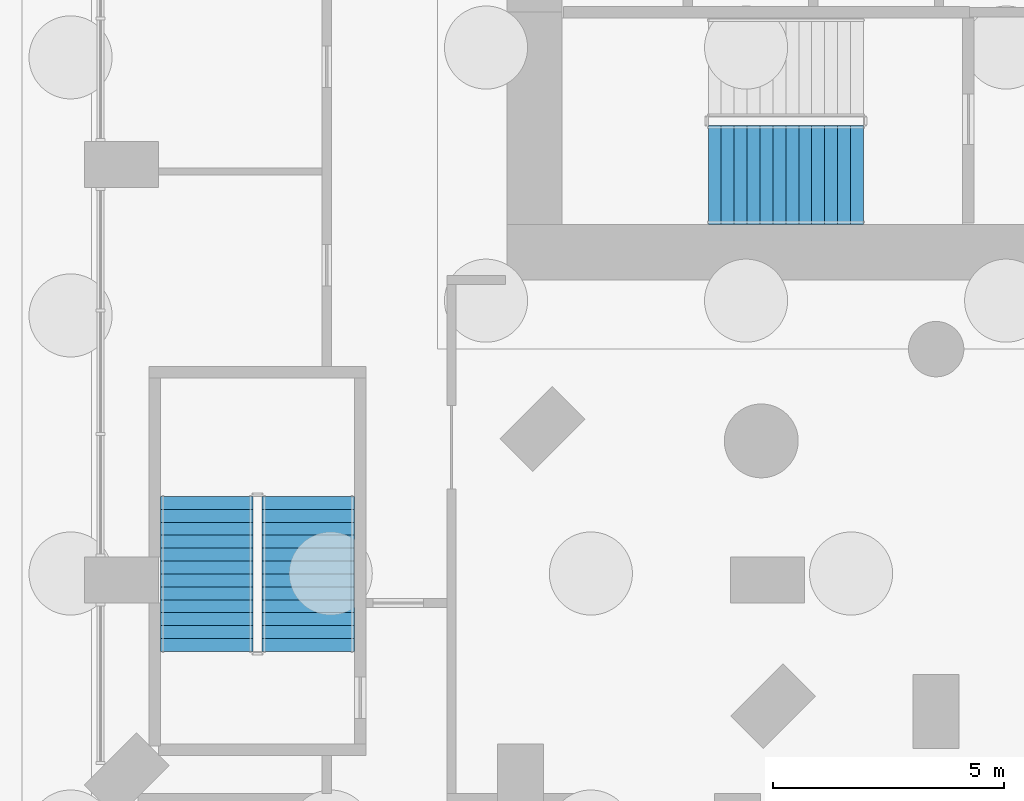
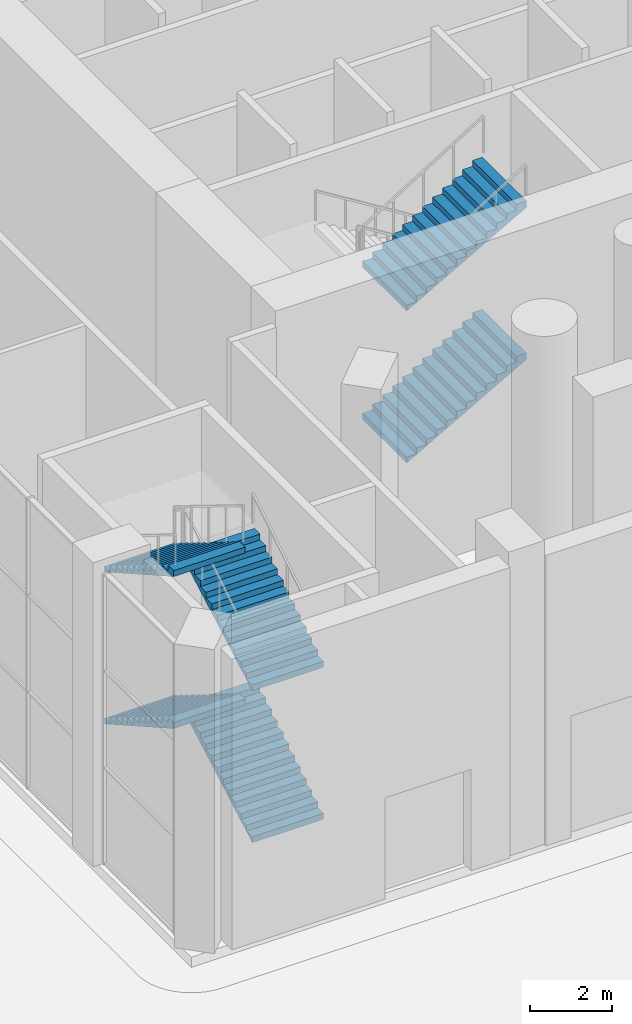
# One storey, part 15 of 25: 6 stair flights, 2 elements without a shape of their own.
"""IFC4 building model written with IfcOpenShell, lengths in metres."""

import ifcopenshell
import ifcopenshell.guid

model = None  # the IFC model being written
_history = None  # IfcOwnerHistory: only IFC2X3 demands one
_inside = {}  # id of a spatial element -> (the spatial element, [elements in it])
_under = {}  # id of a project, library or spatial element -> (it, [spatial elements below it])
_declared = {}  # id of a project -> (the project, [libraries it declares])
_typed = {}  # id of a type object -> (the type object, [elements of that type])
_made_of = {}  # id of a material, layer set ... -> (it, [elements and type objects made of it])


def new_model(schema):
    """Start an empty IFC model of exactly this schema.

    Asked for "IFC4X3", IfcOpenShell would pick the latest addendum, in which some entities
    have other attributes; the version numbers below select the first issue.
    IFC2X3 requires an IfcOwnerHistory on every rooted entity: one is made here for all.
    """
    global model, _history
    if schema == "IFC4X3":
        model = ifcopenshell.file(schema_version=(4, 3, 0, 0))
    else:
        model = ifcopenshell.file(schema=schema)
    _inside.clear()
    _under.clear()
    _declared.clear()
    _typed.clear()
    _made_of.clear()
    _history = None
    if model.schema == "IFC2X3":
        org = make("IfcOrganization", Name="unknown")
        user = make(
            "IfcPersonAndOrganization",
            ThePerson=make("IfcPerson", FamilyName="unknown"),
            TheOrganization=org,
        )
        app = make(
            "IfcApplication",
            ApplicationDeveloper=org,
            Version="unknown",
            ApplicationFullName="unknown",
            ApplicationIdentifier="unknown",
        )
        _history = make(
            "IfcOwnerHistory",
            OwningUser=user,
            OwningApplication=app,
            ChangeAction="ADDED",
            CreationDate=0,
        )
    return model


def make(cls, **values):
    """One entity of the class cls with the attributes given. An attribute that is None is left unset."""
    return model.create_entity(
        cls, **{name: value for name, value in values.items() if value is not None}
    )


def rooted(cls, **values):
    """An entity with a GlobalId (a new one), such as an element, a storey or a relation."""
    return make(cls, GlobalId=ifcopenshell.guid.new(), OwnerHistory=_history, **values)


def si_unit(unit_type, name, prefix=None):
    """IfcSIUnit, for example si_unit("LENGTHUNIT", "METRE", prefix="MILLI")."""
    return make("IfcSIUnit", UnitType=unit_type, Prefix=prefix, Name=name)


def assignment(units):
    """IfcUnitAssignment: the units of a project."""
    return None if units is None else make("IfcUnitAssignment", Units=units)


def point(xyz):
    """IfcCartesianPoint."""
    return None if xyz is None else make("IfcCartesianPoint", Coordinates=xyz)


def direction(xyz):
    """IfcDirection."""
    return None if xyz is None else make("IfcDirection", DirectionRatios=xyz)


def frame(location, z_axis=None, x_axis=None):
    """IfcAxis2Placement3D, a coordinate frame: its origin and axes. An axis left out is left unset."""
    return make(
        "IfcAxis2Placement3D",
        Location=point(location),
        Axis=direction(z_axis),
        RefDirection=direction(x_axis),
    )


def origin():
    """The frame at (0, 0, 0) with its axes left unset."""
    return frame((0.0, 0.0, 0.0))


def place(relative_to, where):
    """IfcLocalPlacement: puts the frame where relative to a parent placement (None: the world)."""
    return make(
        "IfcLocalPlacement", PlacementRelTo=relative_to, RelativePlacement=where
    )


def context(
    kind, dimensions, precision=None, world=None, true_north=None, identifier=None
):
    """IfcGeometricRepresentationContext, for example the 3D "Model" context."""
    return make(
        "IfcGeometricRepresentationContext",
        ContextIdentifier=identifier,
        ContextType=kind,
        CoordinateSpaceDimension=dimensions,
        Precision=precision,
        WorldCoordinateSystem=world,
        TrueNorth=true_north,
    )


def subcontext(parent, identifier, kind, view, scale=None):
    """IfcGeometricRepresentationSubContext, for example "Body" below "Model"."""
    return make(
        "IfcGeometricRepresentationSubContext",
        ContextIdentifier=identifier,
        ContextType=kind,
        ParentContext=parent,
        TargetScale=scale,
        TargetView=view,
    )


def project(units=None, contexts=None):
    """IfcProject with its units and contexts."""
    return rooted(
        "IfcProject",
        Name="project",
        RepresentationContexts=contexts,
        UnitsInContext=assignment(units),
    )


def spatial(cls, under=None, at=None, **own):
    """A site, building, storey or space (cls), placed at a placement, below another one or the project."""
    s = rooted(cls, ObjectPlacement=at, **own)
    if under is not None:
        _under.setdefault(under.id(), (under, []))[1].append(s)
    return s


def point_list(points):
    """IfcCartesianPointList2D or 3D."""
    cls = (
        "IfcCartesianPointList2D" if len(points[0]) == 2 else "IfcCartesianPointList3D"
    )
    return make(cls, CoordList=points)


def triangles(points, corners, closed=None, point_numbers=None):
    """IfcTriangulatedFaceSet: each triangle names its three corners, points numbered from 1."""
    return make(
        "IfcTriangulatedFaceSet",
        Coordinates=point_list(points),
        Closed=closed,
        CoordIndex=corners,
        PnIndex=point_numbers,
    )


def shape(context_of_items, identifier, shape_type, items):
    """IfcShapeRepresentation: the items that make up one representation, for example the "Body"."""
    return make(
        "IfcShapeRepresentation",
        ContextOfItems=context_of_items,
        RepresentationIdentifier=identifier,
        RepresentationType=shape_type,
        Items=items,
    )


def material(Name=None, Category=None):
    """IfcMaterial."""
    return make("IfcMaterial", Name=Name, Category=Category)


def made_of(thing, what):
    """Note that an element or type object is made of a material, layer set ...; save() writes the relation."""
    if what is not None:
        _made_of.setdefault(what.id(), (what, []))[1].append(thing)
    return thing


def type_object(cls, material=None, **own):
    """A type object (cls), such as IfcWallType, which elements share."""
    return made_of(rooted(cls, **own), material)


def element(
    cls,
    number,
    at=None,
    inside=None,
    cuts=None,
    type_object=None,
    material=None,
    context=None,
    identifier="Body",
    shape_type=None,
    held_by="IfcProductDefinitionShape",
    body=None,
    shapes=None,
    **own,
):
    """One element of the class cls, such as IfcWall. Its Tag is "e" and its number.

    at: its placement. inside: the storey or other place that contains it. cuts: it is an
    opening in that element (IfcRelVoidsElement). A single representation is given by context,
    identifier, shape_type and body (its items); several are given by shapes. held_by: the class
    of the entity that holds the representations. save() writes the other relations.
    """
    e = rooted(cls, Tag="e%d" % number, ObjectPlacement=at, **own)
    if body is not None:
        shapes = [shape(context, identifier, shape_type, body)]
    if shapes is not None:
        e.Representation = make(held_by, Representations=shapes)
    if inside is not None:
        _inside.setdefault(inside.id(), (inside, []))[1].append(e)
    if cuts is not None:
        rooted(
            "IfcRelVoidsElement", RelatingBuildingElement=cuts, RelatedOpeningElement=e
        )
    if type_object is not None:
        _typed.setdefault(type_object.id(), (type_object, []))[1].append(e)
    return made_of(e, material)


def aggregate(whole, parts):
    """IfcRelAggregates: a whole, such as a stair, and the parts it consists of."""
    return rooted("IfcRelAggregates", RelatingObject=whole, RelatedObjects=parts)


def save(model, path):
    """Write the relations noted so far, then the file.

    IfcRelAggregates (storeys below a building ...), IfcRelContainedInSpatialStructure (elements
    in a storey), IfcRelDefinesByType, IfcRelAssociatesMaterial and IfcRelDeclares: one each for
    every whole, place, type object, material and project.
    """
    for whole, parts in _under.values():
        aggregate(whole, parts)
    for where, things in _inside.values():
        rooted(
            "IfcRelContainedInSpatialStructure",
            RelatedElements=things,
            RelatingStructure=where,
        )
    for kind, things in _typed.values():
        rooted("IfcRelDefinesByType", RelatedObjects=things, RelatingType=kind)
    for what, things in _made_of.values():
        rooted("IfcRelAssociatesMaterial", RelatedObjects=things, RelatingMaterial=what)
    for by, libraries in _declared.values():
        rooted("IfcRelDeclares", RelatingContext=by, RelatedDefinitions=libraries)
    model.write(path)


model = new_model("IFC4")

# Units and contexts
model_context = context("Model", 3, precision=1e-05, world=origin(), true_north=direction((0.0, 1.0)))
body_context = subcontext(model_context, "Body", "Model", "MODEL_VIEW")
ifc_project = project(units=[si_unit("LENGTHUNIT", "METRE"), si_unit("AREAUNIT", "SQUARE_METRE"), si_unit("VOLUMEUNIT", "CUBIC_METRE"), si_unit("PLANEANGLEUNIT", "RADIAN"), si_unit("MASSUNIT", "GRAM", prefix="KILO")], contexts=[model_context])

# Site, building, storey
site_placement = place(None, origin())
site = spatial("IfcSite", under=ifc_project, at=site_placement, CompositionType="ELEMENT")
building_placement = place(site_placement, origin())
building = spatial("IfcBuilding", under=site, at=building_placement, Name="Cypress Arch Tower", CompositionType="ELEMENT")
storey_placement = place(building_placement, origin())
storey = spatial("IfcBuildingStorey", under=building, at=storey_placement, Name="L00", CompositionType="ELEMENT", Elevation=0.0)

# Stair, stair flights
ifc_material_1 = material(Name="Concrete C40/50", Category="concrete")
stair_type_1 = type_object("IfcStairType", Name="Exit stair ES1731-200", PredefinedType="HALF_TURN_STAIR", material=ifc_material_1)
stair_1_placement = place(storey_placement, origin())
stair_1 = element("IfcStair", 1, at=stair_1_placement, inside=storey, type_object=stair_type_1, Name="L00 Exit stair P1", PredefinedType="HALF_TURN_STAIR")
ifc_material_2 = material(Name="Concrete C40/50", Category="concrete")
stair_flight_type_1 = type_object("IfcStairFlightType", Name="Exit stair flight ES1731-200", PredefinedType="STRAIGHT", material=ifc_material_2)
stair_flight_1_placement = place(storey_placement, frame((-34.300048828125, -24.050048828125, 0.0), z_axis=(0.0, 0.0, 1.0), x_axis=(0.0, 1.0, 0.0)))
stair_flight_1 = element("IfcStairFlight", 2, at=stair_flight_1_placement, type_object=stair_flight_type_1, Name="P1 flight 1", NumberOfRisers=13, NumberOfTreads=12, PredefinedType="STRAIGHT", RiserHeight=0.173076923, TreadLength=0.28, context=body_context, shape_type="Tessellation", body=[
    triangles([(0.0, -1.0, 0.0), (0.00048828125, -1.0, 0.0576171875), (0.00048828125, -1.0, 0.115478515625), (0.0, -1.0, 0.173095703125), (0.280029296875, -1.0, 0.173095703125), (0.280029296875, -1.0, 0.34619140625), (0.56005859375, -1.0, 0.34619140625), (0.56005859375, -1.0, 0.519287109375), (0.840087890625, -1.0, 0.519287109375), (0.840087890625, -1.0, 0.6923828125), (1.1201171875, -1.0, 0.6923828125), (1.1201171875, -1.0, 0.865478515625), (1.39990234375, -1.0, 0.865478515625), (1.39990234375, -1.0, 1.03857421875), (1.679931640625, -1.0, 1.03857421875), (1.679931640625, -1.0, 1.21142578125), (1.9599609375, -1.0, 1.21142578125), (1.9599609375, -1.0, 1.384521484375), (2.239990234375, -1.0, 1.384521484375), (2.239990234375, -1.0, 1.5576171875), (2.52001953125, -1.0, 1.5576171875), (2.52001953125, -1.0, 1.730712890625), (2.800048828125, -1.0, 1.730712890625), (2.800048828125, -1.0, 1.90380859375), (3.080078125, -1.0, 1.90380859375), (3.080078125, -1.0, 2.076904296875), (3.360107421875, -1.0, 2.076904296875), (3.359619140625, -1.0, 2.01806640625), (3.359619140625, -1.0, 1.95947265625), (3.360107421875, -1.0, 1.900634765625), (3.360107421875, 1.0, 1.900634765625), (3.359619140625, 1.0, 1.95947265625), (3.359619140625, 1.0, 2.01806640625), (3.360107421875, 1.0, 2.076904296875), (3.080078125, 1.0, 2.076904296875), (3.080078125, 1.0, 1.90380859375), (2.800048828125, 1.0, 1.90380859375), (2.800048828125, 1.0, 1.730712890625), (2.52001953125, 1.0, 1.730712890625), (2.52001953125, 1.0, 1.5576171875), (2.239990234375, 1.0, 1.5576171875), (2.239990234375, 1.0, 1.384521484375), (1.9599609375, 1.0, 1.384521484375), (1.9599609375, 1.0, 1.21142578125), (1.679931640625, 1.0, 1.21142578125), (1.679931640625, 1.0, 1.03857421875), (1.39990234375, 1.0, 1.03857421875), (1.39990234375, 1.0, 0.865478515625), (1.1201171875, 1.0, 0.865478515625), (1.1201171875, 1.0, 0.6923828125), (0.840087890625, 1.0, 0.6923828125), (0.840087890625, 1.0, 0.519287109375), (0.56005859375, 1.0, 0.519287109375), (0.56005859375, 1.0, 0.34619140625), (0.280029296875, 1.0, 0.34619140625), (0.280029296875, 1.0, 0.173095703125), (0.0, 1.0, 0.173095703125), (0.00048828125, 1.0, 0.115478515625), (0.00048828125, 1.0, 0.0576171875), (0.0, 1.0, 0.0)], [[30, 29, 26], [29, 28, 26], [28, 27, 26], [13, 12, 11], [25, 24, 23], [23, 22, 21], [21, 20, 19], [19, 18, 17], [15, 14, 13], [11, 10, 9], [9, 8, 7], [7, 6, 5], [4, 3, 5], [3, 2, 5], [2, 1, 5], [17, 16, 15], [30, 26, 25], [30, 25, 23], [30, 23, 21], [30, 21, 19], [30, 19, 17], [1, 30, 17], [17, 15, 13], [17, 13, 11], [17, 11, 9], [17, 9, 7], [17, 7, 5], [17, 5, 1], [31, 35, 32], [32, 35, 33], [33, 35, 34], [48, 50, 49], [36, 38, 37], [38, 40, 39], [40, 42, 41], [42, 44, 43], [46, 48, 47], [50, 52, 51], [52, 54, 53], [54, 56, 55], [57, 56, 58], [58, 56, 59], [59, 56, 60], [44, 46, 45], [31, 36, 35], [31, 38, 36], [31, 40, 38], [31, 42, 40], [31, 44, 42], [60, 44, 31], [44, 48, 46], [44, 50, 48], [44, 52, 50], [44, 54, 52], [44, 56, 54], [44, 60, 56], [31, 32, 29], [31, 29, 30], [32, 33, 28], [32, 28, 29], [33, 34, 27], [33, 27, 28], [34, 35, 26], [34, 26, 27], [35, 36, 25], [35, 25, 26], [36, 37, 24], [36, 24, 25], [37, 38, 23], [37, 23, 24], [38, 39, 22], [38, 22, 23], [39, 40, 21], [39, 21, 22], [40, 41, 20], [40, 20, 21], [41, 42, 19], [41, 19, 20], [42, 43, 18], [42, 18, 19], [43, 44, 17], [43, 17, 18], [44, 45, 16], [44, 16, 17], [45, 46, 15], [45, 15, 16], [46, 47, 14], [46, 14, 15], [47, 48, 13], [47, 13, 14], [48, 49, 12], [48, 12, 13], [49, 50, 11], [49, 11, 12], [50, 51, 10], [50, 10, 11], [51, 52, 9], [51, 9, 10], [52, 53, 8], [52, 8, 9], [53, 54, 7], [53, 7, 8], [54, 55, 6], [54, 6, 7], [55, 56, 5], [55, 5, 6], [56, 57, 4], [56, 4, 5], [57, 58, 3], [57, 3, 4], [58, 59, 2], [58, 2, 3], [59, 60, 1], [59, 1, 2], [60, 31, 30], [60, 30, 1]], closed=True),
])
stair_flight_2_placement = place(storey_placement, frame((-36.5, -20.68994140625, 2.25), z_axis=(0.0, 0.0, 1.0), x_axis=(0.0, -1.0, 0.0)))
stair_flight_2 = element("IfcStairFlight", 3, at=stair_flight_2_placement, type_object=stair_flight_type_1, Name="P1 flight 2", NumberOfRisers=13, NumberOfTreads=12, PredefinedType="STRAIGHT", RiserHeight=0.173076923, TreadLength=0.28, context=body_context, shape_type="Tessellation", body=[
    triangles([(0.0, -1.0, 0.0), (0.00048828125, -1.0, 0.0576171875), (0.00048828125, -1.0, 0.115478515625), (0.0, -1.0, 0.173095703125), (0.280029296875, -1.0, 0.173095703125), (0.280029296875, -1.0, 0.34619140625), (0.56005859375, -1.0, 0.34619140625), (0.56005859375, -1.0, 0.519287109375), (0.840087890625, -1.0, 0.519287109375), (0.840087890625, -1.0, 0.6923828125), (1.1201171875, -1.0, 0.6923828125), (1.1201171875, -1.0, 0.865478515625), (1.39990234375, -1.0, 0.865478515625), (1.39990234375, -1.0, 1.03857421875), (1.679931640625, -1.0, 1.03857421875), (1.679931640625, -1.0, 1.21142578125), (1.9599609375, -1.0, 1.21142578125), (1.9599609375, -1.0, 1.384521484375), (2.239990234375, -1.0, 1.384521484375), (2.239990234375, -1.0, 1.5576171875), (2.52001953125, -1.0, 1.5576171875), (2.52001953125, -1.0, 1.730712890625), (2.800048828125, -1.0, 1.730712890625), (2.800048828125, -1.0, 1.90380859375), (3.080078125, -1.0, 1.90380859375), (3.080078125, -1.0, 2.076904296875), (3.360107421875, -1.0, 2.076904296875), (3.359619140625, -1.0, 2.01806640625), (3.359619140625, -1.0, 1.95947265625), (3.360107421875, -1.0, 1.900634765625), (3.360107421875, 1.0, 1.900634765625), (3.359619140625, 1.0, 1.95947265625), (3.359619140625, 1.0, 2.01806640625), (3.360107421875, 1.0, 2.076904296875), (3.080078125, 1.0, 2.076904296875), (3.080078125, 1.0, 1.90380859375), (2.800048828125, 1.0, 1.90380859375), (2.800048828125, 1.0, 1.730712890625), (2.52001953125, 1.0, 1.730712890625), (2.52001953125, 1.0, 1.5576171875), (2.239990234375, 1.0, 1.5576171875), (2.239990234375, 1.0, 1.384521484375), (1.9599609375, 1.0, 1.384521484375), (1.9599609375, 1.0, 1.21142578125), (1.679931640625, 1.0, 1.21142578125), (1.679931640625, 1.0, 1.03857421875), (1.39990234375, 1.0, 1.03857421875), (1.39990234375, 1.0, 0.865478515625), (1.1201171875, 1.0, 0.865478515625), (1.1201171875, 1.0, 0.6923828125), (0.840087890625, 1.0, 0.6923828125), (0.840087890625, 1.0, 0.519287109375), (0.56005859375, 1.0, 0.519287109375), (0.56005859375, 1.0, 0.34619140625), (0.280029296875, 1.0, 0.34619140625), (0.280029296875, 1.0, 0.173095703125), (0.0, 1.0, 0.173095703125), (0.00048828125, 1.0, 0.115478515625), (0.00048828125, 1.0, 0.0576171875), (0.0, 1.0, 0.0)], [[30, 29, 26], [29, 28, 26], [28, 27, 26], [13, 12, 11], [25, 24, 23], [23, 22, 21], [21, 20, 19], [19, 18, 17], [15, 14, 13], [11, 10, 9], [9, 8, 7], [7, 6, 5], [4, 3, 5], [3, 2, 5], [2, 1, 5], [17, 16, 15], [30, 26, 25], [30, 25, 23], [30, 23, 21], [30, 21, 19], [30, 19, 17], [1, 30, 17], [17, 15, 13], [17, 13, 11], [17, 11, 9], [17, 9, 7], [17, 7, 5], [17, 5, 1], [31, 35, 32], [32, 35, 33], [33, 35, 34], [48, 50, 49], [36, 38, 37], [38, 40, 39], [40, 42, 41], [42, 44, 43], [46, 48, 47], [50, 52, 51], [52, 54, 53], [54, 56, 55], [57, 56, 58], [58, 56, 59], [59, 56, 60], [44, 46, 45], [31, 36, 35], [31, 38, 36], [31, 40, 38], [31, 42, 40], [31, 44, 42], [60, 44, 31], [44, 48, 46], [44, 50, 48], [44, 52, 50], [44, 54, 52], [44, 56, 54], [44, 60, 56], [31, 32, 29], [31, 29, 30], [32, 33, 28], [32, 28, 29], [33, 34, 27], [33, 27, 28], [34, 35, 26], [34, 26, 27], [35, 36, 25], [35, 25, 26], [36, 37, 24], [36, 24, 25], [37, 38, 23], [37, 23, 24], [38, 39, 22], [38, 22, 23], [39, 40, 21], [39, 21, 22], [40, 41, 20], [40, 20, 21], [41, 42, 19], [41, 19, 20], [42, 43, 18], [42, 18, 19], [43, 44, 17], [43, 17, 18], [44, 45, 16], [44, 16, 17], [45, 46, 15], [45, 15, 16], [46, 47, 14], [46, 14, 15], [47, 48, 13], [47, 13, 14], [48, 49, 12], [48, 12, 13], [49, 50, 11], [49, 11, 12], [50, 51, 10], [50, 10, 11], [51, 52, 9], [51, 9, 10], [52, 53, 8], [52, 8, 9], [53, 54, 7], [53, 7, 8], [54, 55, 6], [54, 6, 7], [55, 56, 5], [55, 5, 6], [56, 57, 4], [56, 4, 5], [57, 58, 3], [57, 3, 4], [58, 59, 2], [58, 2, 3], [59, 60, 1], [59, 1, 2], [60, 31, 30], [60, 30, 1]], closed=True),
])
stair_flight_3_placement = place(storey_placement, frame((-34.300048828125, -24.050048828125, 4.5), z_axis=(0.0, 0.0, 1.0), x_axis=(0.0, 1.0, 0.0)))
stair_flight_3 = element("IfcStairFlight", 4, at=stair_flight_3_placement, type_object=stair_flight_type_1, Name="P1 flight 3", NumberOfRisers=13, NumberOfTreads=12, PredefinedType="STRAIGHT", RiserHeight=0.173076923, TreadLength=0.28, context=body_context, shape_type="Tessellation", body=[
    triangles([(0.0, -1.0, 0.0), (0.00048828125, -1.0, 0.0576171875), (0.00048828125, -1.0, 0.115478515625), (0.0, -1.0, 0.173095703125), (0.280029296875, -1.0, 0.173095703125), (0.280029296875, -1.0, 0.34619140625), (0.56005859375, -1.0, 0.34619140625), (0.56005859375, -1.0, 0.519287109375), (0.840087890625, -1.0, 0.519287109375), (0.840087890625, -1.0, 0.6923828125), (1.1201171875, -1.0, 0.6923828125), (1.1201171875, -1.0, 0.865478515625), (1.39990234375, -1.0, 0.865478515625), (1.39990234375, -1.0, 1.03857421875), (1.679931640625, -1.0, 1.03857421875), (1.679931640625, -1.0, 1.21142578125), (1.9599609375, -1.0, 1.21142578125), (1.9599609375, -1.0, 1.384521484375), (2.239990234375, -1.0, 1.384521484375), (2.239990234375, -1.0, 1.5576171875), (2.52001953125, -1.0, 1.5576171875), (2.52001953125, -1.0, 1.730712890625), (2.800048828125, -1.0, 1.730712890625), (2.800048828125, -1.0, 1.90380859375), (3.080078125, -1.0, 1.90380859375), (3.080078125, -1.0, 2.076904296875), (3.360107421875, -1.0, 2.076904296875), (3.359619140625, -1.0, 2.01806640625), (3.359619140625, -1.0, 1.95947265625), (3.360107421875, -1.0, 1.900634765625), (3.360107421875, 1.0, 1.900634765625), (3.359619140625, 1.0, 1.95947265625), (3.359619140625, 1.0, 2.01806640625), (3.360107421875, 1.0, 2.076904296875), (3.080078125, 1.0, 2.076904296875), (3.080078125, 1.0, 1.90380859375), (2.800048828125, 1.0, 1.90380859375), (2.800048828125, 1.0, 1.730712890625), (2.52001953125, 1.0, 1.730712890625), (2.52001953125, 1.0, 1.5576171875), (2.239990234375, 1.0, 1.5576171875), (2.239990234375, 1.0, 1.384521484375), (1.9599609375, 1.0, 1.384521484375), (1.9599609375, 1.0, 1.21142578125), (1.679931640625, 1.0, 1.21142578125), (1.679931640625, 1.0, 1.03857421875), (1.39990234375, 1.0, 1.03857421875), (1.39990234375, 1.0, 0.865478515625), (1.1201171875, 1.0, 0.865478515625), (1.1201171875, 1.0, 0.6923828125), (0.840087890625, 1.0, 0.6923828125), (0.840087890625, 1.0, 0.519287109375), (0.56005859375, 1.0, 0.519287109375), (0.56005859375, 1.0, 0.34619140625), (0.280029296875, 1.0, 0.34619140625), (0.280029296875, 1.0, 0.173095703125), (0.0, 1.0, 0.173095703125), (0.00048828125, 1.0, 0.115478515625), (0.00048828125, 1.0, 0.0576171875), (0.0, 1.0, 0.0)], [[30, 29, 26], [29, 28, 26], [28, 27, 26], [13, 12, 11], [25, 24, 23], [23, 22, 21], [21, 20, 19], [19, 18, 17], [15, 14, 13], [11, 10, 9], [9, 8, 7], [7, 6, 5], [4, 3, 5], [3, 2, 5], [2, 1, 5], [17, 16, 15], [30, 26, 25], [30, 25, 23], [30, 23, 21], [30, 21, 19], [30, 19, 17], [1, 30, 17], [17, 15, 13], [17, 13, 11], [17, 11, 9], [17, 9, 7], [17, 7, 5], [17, 5, 1], [31, 35, 32], [32, 35, 33], [33, 35, 34], [48, 50, 49], [36, 38, 37], [38, 40, 39], [40, 42, 41], [42, 44, 43], [46, 48, 47], [50, 52, 51], [52, 54, 53], [54, 56, 55], [57, 56, 58], [58, 56, 59], [59, 56, 60], [44, 46, 45], [31, 36, 35], [31, 38, 36], [31, 40, 38], [31, 42, 40], [31, 44, 42], [60, 44, 31], [44, 48, 46], [44, 50, 48], [44, 52, 50], [44, 54, 52], [44, 56, 54], [44, 60, 56], [31, 32, 29], [31, 29, 30], [32, 33, 28], [32, 28, 29], [33, 34, 27], [33, 27, 28], [34, 35, 26], [34, 26, 27], [35, 36, 25], [35, 25, 26], [36, 37, 24], [36, 24, 25], [37, 38, 23], [37, 23, 24], [38, 39, 22], [38, 22, 23], [39, 40, 21], [39, 21, 22], [40, 41, 20], [40, 20, 21], [41, 42, 19], [41, 19, 20], [42, 43, 18], [42, 18, 19], [43, 44, 17], [43, 17, 18], [44, 45, 16], [44, 16, 17], [45, 46, 15], [45, 15, 16], [46, 47, 14], [46, 14, 15], [47, 48, 13], [47, 13, 14], [48, 49, 12], [48, 12, 13], [49, 50, 11], [49, 11, 12], [50, 51, 10], [50, 10, 11], [51, 52, 9], [51, 9, 10], [52, 53, 8], [52, 8, 9], [53, 54, 7], [53, 7, 8], [54, 55, 6], [54, 6, 7], [55, 56, 5], [55, 5, 6], [56, 57, 4], [56, 4, 5], [57, 58, 3], [57, 3, 4], [58, 59, 2], [58, 2, 3], [59, 60, 1], [59, 1, 2], [60, 31, 30], [60, 30, 1]], closed=True),
])
stair_flight_4_placement = place(storey_placement, frame((-36.5, -20.68994140625, 6.75), z_axis=(0.0, 0.0, 1.0), x_axis=(0.0, -1.0, 0.0)))
stair_flight_4 = element("IfcStairFlight", 5, at=stair_flight_4_placement, type_object=stair_flight_type_1, Name="P1 flight 4", NumberOfRisers=13, NumberOfTreads=12, PredefinedType="STRAIGHT", RiserHeight=0.173076923, TreadLength=0.28, context=body_context, shape_type="Tessellation", body=[
    triangles([(0.0, -1.0, 0.0), (0.00048828125, -1.0, 0.0576171875), (0.00048828125, -1.0, 0.115478515625), (0.0, -1.0, 0.173095703125), (0.280029296875, -1.0, 0.173095703125), (0.280029296875, -1.0, 0.34619140625), (0.56005859375, -1.0, 0.34619140625), (0.56005859375, -1.0, 0.519287109375), (0.840087890625, -1.0, 0.519287109375), (0.840087890625, -1.0, 0.6923828125), (1.1201171875, -1.0, 0.6923828125), (1.1201171875, -1.0, 0.865478515625), (1.39990234375, -1.0, 0.865478515625), (1.39990234375, -1.0, 1.03857421875), (1.679931640625, -1.0, 1.03857421875), (1.679931640625, -1.0, 1.21142578125), (1.9599609375, -1.0, 1.21142578125), (1.9599609375, -1.0, 1.384521484375), (2.239990234375, -1.0, 1.384521484375), (2.239990234375, -1.0, 1.5576171875), (2.52001953125, -1.0, 1.5576171875), (2.52001953125, -1.0, 1.730712890625), (2.800048828125, -1.0, 1.730712890625), (2.800048828125, -1.0, 1.90380859375), (3.080078125, -1.0, 1.90380859375), (3.080078125, -1.0, 2.076904296875), (3.360107421875, -1.0, 2.076904296875), (3.359619140625, -1.0, 2.01806640625), (3.359619140625, -1.0, 1.95947265625), (3.360107421875, -1.0, 1.900634765625), (3.360107421875, 1.0, 1.900634765625), (3.359619140625, 1.0, 1.95947265625), (3.359619140625, 1.0, 2.01806640625), (3.360107421875, 1.0, 2.076904296875), (3.080078125, 1.0, 2.076904296875), (3.080078125, 1.0, 1.90380859375), (2.800048828125, 1.0, 1.90380859375), (2.800048828125, 1.0, 1.730712890625), (2.52001953125, 1.0, 1.730712890625), (2.52001953125, 1.0, 1.5576171875), (2.239990234375, 1.0, 1.5576171875), (2.239990234375, 1.0, 1.384521484375), (1.9599609375, 1.0, 1.384521484375), (1.9599609375, 1.0, 1.21142578125), (1.679931640625, 1.0, 1.21142578125), (1.679931640625, 1.0, 1.03857421875), (1.39990234375, 1.0, 1.03857421875), (1.39990234375, 1.0, 0.865478515625), (1.1201171875, 1.0, 0.865478515625), (1.1201171875, 1.0, 0.6923828125), (0.840087890625, 1.0, 0.6923828125), (0.840087890625, 1.0, 0.519287109375), (0.56005859375, 1.0, 0.519287109375), (0.56005859375, 1.0, 0.34619140625), (0.280029296875, 1.0, 0.34619140625), (0.280029296875, 1.0, 0.173095703125), (0.0, 1.0, 0.173095703125), (0.00048828125, 1.0, 0.115478515625), (0.00048828125, 1.0, 0.0576171875), (0.0, 1.0, 0.0)], [[30, 29, 26], [29, 28, 26], [28, 27, 26], [13, 12, 11], [25, 24, 23], [23, 22, 21], [21, 20, 19], [19, 18, 17], [15, 14, 13], [11, 10, 9], [9, 8, 7], [7, 6, 5], [4, 3, 5], [3, 2, 5], [2, 1, 5], [17, 16, 15], [30, 26, 25], [30, 25, 23], [30, 23, 21], [30, 21, 19], [30, 19, 17], [1, 30, 17], [17, 15, 13], [17, 13, 11], [17, 11, 9], [17, 9, 7], [17, 7, 5], [17, 5, 1], [31, 35, 32], [32, 35, 33], [33, 35, 34], [48, 50, 49], [36, 38, 37], [38, 40, 39], [40, 42, 41], [42, 44, 43], [46, 48, 47], [50, 52, 51], [52, 54, 53], [54, 56, 55], [57, 56, 58], [58, 56, 59], [59, 56, 60], [44, 46, 45], [31, 36, 35], [31, 38, 36], [31, 40, 38], [31, 42, 40], [31, 44, 42], [60, 44, 31], [44, 48, 46], [44, 50, 48], [44, 52, 50], [44, 54, 52], [44, 56, 54], [44, 60, 56], [31, 32, 29], [31, 29, 30], [32, 33, 28], [32, 28, 29], [33, 34, 27], [33, 27, 28], [34, 35, 26], [34, 26, 27], [35, 36, 25], [35, 25, 26], [36, 37, 24], [36, 24, 25], [37, 38, 23], [37, 23, 24], [38, 39, 22], [38, 22, 23], [39, 40, 21], [39, 21, 22], [40, 41, 20], [40, 20, 21], [41, 42, 19], [41, 19, 20], [42, 43, 18], [42, 18, 19], [43, 44, 17], [43, 17, 18], [44, 45, 16], [44, 16, 17], [45, 46, 15], [45, 15, 16], [46, 47, 14], [46, 14, 15], [47, 48, 13], [47, 13, 14], [48, 49, 12], [48, 12, 13], [49, 50, 11], [49, 11, 12], [50, 51, 10], [50, 10, 11], [51, 52, 9], [51, 9, 10], [52, 53, 8], [52, 8, 9], [53, 54, 7], [53, 7, 8], [54, 55, 6], [54, 6, 7], [55, 56, 5], [55, 5, 6], [56, 57, 4], [56, 4, 5], [57, 58, 3], [57, 3, 4], [58, 59, 2], [58, 2, 3], [59, 60, 1], [59, 1, 2], [60, 31, 30], [60, 30, 1]], closed=True),
])
aggregate(stair_1, [stair_flight_1, stair_flight_2, stair_flight_3, stair_flight_4])

ifc_material_3 = material(Name="Concrete C40/50", Category="concrete")
stair_type_2 = type_object("IfcStairType", Name="Exit stair ES1731-215", PredefinedType="HALF_TURN_STAIR", material=ifc_material_3)
stair_2_placement = place(storey_placement, origin())
stair_2 = element("IfcStair", 6, at=stair_2_placement, inside=storey, type_object=stair_type_2, Name="L00 Exit stair A", PredefinedType="HALF_TURN_STAIR")
ifc_material_4 = material(Name="Concrete C40/50", Category="concrete")
stair_flight_type_2 = type_object("IfcStairFlightType", Name="Exit stair flight ES1731-215", PredefinedType="STRAIGHT", material=ifc_material_4)
stair_flight_5_placement = place(storey_placement, frame((-25.635009765625, -13.72509765625, 2.25), z_axis=(0.0, 0.0, 1.0), x_axis=(1.0, 0.0, 0.0)))
stair_flight_5 = element("IfcStairFlight", 7, at=stair_flight_5_placement, type_object=stair_flight_type_2, Name="A flight 2", NumberOfRisers=13, NumberOfTreads=12, PredefinedType="STRAIGHT", RiserHeight=0.173076923, TreadLength=0.28, context=body_context, shape_type="Tessellation", body=[
    triangles([(0.0, -1.074951171875, 0.0), (0.000244140625, -1.074951171875, 0.03466796875), (0.00048828125, -1.074951171875, 0.0693359375), (0.00048828125, -1.074951171875, 0.103759765625), (0.000244140625, -1.074951171875, 0.138427734375), (0.0, -1.074951171875, 0.173095703125), (0.280029296875, -1.074951171875, 0.173095703125), (0.280029296875, -1.074951171875, 0.34619140625), (0.56005859375, -1.074951171875, 0.34619140625), (0.56005859375, -1.074951171875, 0.519287109375), (0.840087890625, -1.074951171875, 0.519287109375), (0.840087890625, -1.074951171875, 0.6923828125), (1.1201171875, -1.074951171875, 0.6923828125), (1.1201171875, -1.074951171875, 0.865478515625), (1.39990234375, -1.074951171875, 0.865478515625), (1.39990234375, -1.074951171875, 1.03857421875), (1.679931640625, -1.074951171875, 1.03857421875), (1.679931640625, -1.074951171875, 1.21142578125), (1.9599609375, -1.074951171875, 1.21142578125), (1.9599609375, -1.074951171875, 1.384521484375), (2.239990234375, -1.074951171875, 1.384521484375), (2.239990234375, -1.074951171875, 1.5576171875), (2.52001953125, -1.074951171875, 1.5576171875), (2.52001953125, -1.074951171875, 1.730712890625), (2.800048828125, -1.074951171875, 1.730712890625), (2.800048828125, -1.074951171875, 1.90380859375), (3.080078125, -1.074951171875, 1.90380859375), (3.080078125, -1.074951171875, 2.076904296875), (3.360107421875, -1.074951171875, 2.076904296875), (3.35986328125, -1.074951171875, 2.041748046875), (3.359619140625, -1.074951171875, 2.00634765625), (3.359619140625, -1.074951171875, 1.97119140625), (3.35986328125, -1.074951171875, 1.935791015625), (3.360107421875, -1.074951171875, 1.900634765625), (3.360107421875, 1.074951171875, 1.900634765625), (3.35986328125, 1.074951171875, 1.935791015625), (3.359619140625, 1.074951171875, 1.97119140625), (3.359619140625, 1.074951171875, 2.00634765625), (3.35986328125, 1.074951171875, 2.041748046875), (3.360107421875, 1.074951171875, 2.076904296875), (3.080078125, 1.074951171875, 2.076904296875), (3.080078125, 1.074951171875, 1.90380859375), (2.800048828125, 1.074951171875, 1.90380859375), (2.800048828125, 1.074951171875, 1.730712890625), (2.52001953125, 1.074951171875, 1.730712890625), (2.52001953125, 1.074951171875, 1.5576171875), (2.239990234375, 1.074951171875, 1.5576171875), (2.239990234375, 1.074951171875, 1.384521484375), (1.9599609375, 1.074951171875, 1.384521484375), (1.9599609375, 1.074951171875, 1.21142578125), (1.679931640625, 1.074951171875, 1.21142578125), (1.679931640625, 1.074951171875, 1.03857421875), (1.39990234375, 1.074951171875, 1.03857421875), (1.39990234375, 1.074951171875, 0.865478515625), (1.1201171875, 1.074951171875, 0.865478515625), (1.1201171875, 1.074951171875, 0.6923828125), (0.840087890625, 1.074951171875, 0.6923828125), (0.840087890625, 1.074951171875, 0.519287109375), (0.56005859375, 1.074951171875, 0.519287109375), (0.56005859375, 1.074951171875, 0.34619140625), (0.280029296875, 1.074951171875, 0.34619140625), (0.280029296875, 1.074951171875, 0.173095703125), (0.0, 1.074951171875, 0.173095703125), (0.000244140625, 1.074951171875, 0.138427734375), (0.00048828125, 1.074951171875, 0.103759765625), (0.00048828125, 1.074951171875, 0.0693359375), (0.000244140625, 1.074951171875, 0.03466796875), (0.0, 1.074951171875, 0.0)], [[34, 33, 28], [33, 32, 28], [32, 31, 28], [31, 30, 28], [30, 29, 28], [15, 14, 13], [27, 26, 25], [25, 24, 23], [23, 22, 21], [21, 20, 19], [17, 16, 15], [13, 12, 11], [11, 10, 9], [9, 8, 7], [6, 5, 7], [5, 4, 7], [4, 3, 7], [3, 2, 7], [2, 1, 7], [19, 18, 17], [34, 28, 27], [34, 27, 25], [34, 25, 23], [34, 23, 21], [34, 21, 19], [1, 34, 19], [19, 17, 15], [19, 15, 13], [19, 13, 11], [19, 11, 9], [19, 9, 7], [19, 7, 1], [35, 41, 36], [36, 41, 37], [37, 41, 38], [38, 41, 39], [39, 41, 40], [54, 56, 55], [42, 44, 43], [44, 46, 45], [46, 48, 47], [48, 50, 49], [52, 54, 53], [56, 58, 57], [58, 60, 59], [60, 62, 61], [63, 62, 64], [64, 62, 65], [65, 62, 66], [66, 62, 67], [67, 62, 68], [50, 52, 51], [35, 42, 41], [35, 44, 42], [35, 46, 44], [35, 48, 46], [35, 50, 48], [68, 50, 35], [50, 54, 52], [50, 56, 54], [50, 58, 56], [50, 60, 58], [50, 62, 60], [50, 68, 62], [35, 36, 33], [35, 33, 34], [36, 37, 32], [36, 32, 33], [37, 38, 31], [37, 31, 32], [38, 39, 30], [38, 30, 31], [39, 40, 29], [39, 29, 30], [40, 41, 28], [40, 28, 29], [41, 42, 27], [41, 27, 28], [42, 43, 26], [42, 26, 27], [43, 44, 25], [43, 25, 26], [44, 45, 24], [44, 24, 25], [45, 46, 23], [45, 23, 24], [46, 47, 22], [46, 22, 23], [47, 48, 21], [47, 21, 22], [48, 49, 20], [48, 20, 21], [49, 50, 19], [49, 19, 20], [50, 51, 18], [50, 18, 19], [51, 52, 17], [51, 17, 18], [52, 53, 16], [52, 16, 17], [53, 54, 15], [53, 15, 16], [54, 55, 14], [54, 14, 15], [55, 56, 13], [55, 13, 14], [56, 57, 12], [56, 12, 13], [57, 58, 11], [57, 11, 12], [58, 59, 10], [58, 10, 11], [59, 60, 9], [59, 9, 10], [60, 61, 8], [60, 8, 9], [61, 62, 7], [61, 7, 8], [62, 63, 6], [62, 6, 7], [63, 64, 5], [63, 5, 6], [64, 65, 4], [64, 4, 5], [65, 66, 3], [65, 3, 4], [66, 67, 2], [66, 2, 3], [67, 68, 1], [67, 1, 2], [68, 35, 34], [68, 34, 1]], closed=True),
])
stair_flight_6_placement = place(storey_placement, frame((-25.635009765625, -13.72509765625, 6.75), z_axis=(0.0, 0.0, 1.0), x_axis=(1.0, 0.0, 0.0)))
stair_flight_6 = element("IfcStairFlight", 8, at=stair_flight_6_placement, type_object=stair_flight_type_2, Name="A flight 4", NumberOfRisers=13, NumberOfTreads=12, PredefinedType="STRAIGHT", RiserHeight=0.173076923, TreadLength=0.28, context=body_context, shape_type="Tessellation", body=[
    triangles([(0.0, -1.074951171875, 0.0), (0.000244140625, -1.074951171875, 0.03466796875), (0.00048828125, -1.074951171875, 0.0693359375), (0.00048828125, -1.074951171875, 0.103759765625), (0.000244140625, -1.074951171875, 0.138427734375), (0.0, -1.074951171875, 0.173095703125), (0.280029296875, -1.074951171875, 0.173095703125), (0.280029296875, -1.074951171875, 0.34619140625), (0.56005859375, -1.074951171875, 0.34619140625), (0.56005859375, -1.074951171875, 0.519287109375), (0.840087890625, -1.074951171875, 0.519287109375), (0.840087890625, -1.074951171875, 0.6923828125), (1.1201171875, -1.074951171875, 0.6923828125), (1.1201171875, -1.074951171875, 0.865478515625), (1.39990234375, -1.074951171875, 0.865478515625), (1.39990234375, -1.074951171875, 1.03857421875), (1.679931640625, -1.074951171875, 1.03857421875), (1.679931640625, -1.074951171875, 1.21142578125), (1.9599609375, -1.074951171875, 1.21142578125), (1.9599609375, -1.074951171875, 1.384521484375), (2.239990234375, -1.074951171875, 1.384521484375), (2.239990234375, -1.074951171875, 1.5576171875), (2.52001953125, -1.074951171875, 1.5576171875), (2.52001953125, -1.074951171875, 1.730712890625), (2.800048828125, -1.074951171875, 1.730712890625), (2.800048828125, -1.074951171875, 1.90380859375), (3.080078125, -1.074951171875, 1.90380859375), (3.080078125, -1.074951171875, 2.076904296875), (3.360107421875, -1.074951171875, 2.076904296875), (3.35986328125, -1.074951171875, 2.041748046875), (3.359619140625, -1.074951171875, 2.00634765625), (3.359619140625, -1.074951171875, 1.97119140625), (3.35986328125, -1.074951171875, 1.935791015625), (3.360107421875, -1.074951171875, 1.900634765625), (3.360107421875, 1.074951171875, 1.900634765625), (3.35986328125, 1.074951171875, 1.935791015625), (3.359619140625, 1.074951171875, 1.97119140625), (3.359619140625, 1.074951171875, 2.00634765625), (3.35986328125, 1.074951171875, 2.041748046875), (3.360107421875, 1.074951171875, 2.076904296875), (3.080078125, 1.074951171875, 2.076904296875), (3.080078125, 1.074951171875, 1.90380859375), (2.800048828125, 1.074951171875, 1.90380859375), (2.800048828125, 1.074951171875, 1.730712890625), (2.52001953125, 1.074951171875, 1.730712890625), (2.52001953125, 1.074951171875, 1.5576171875), (2.239990234375, 1.074951171875, 1.5576171875), (2.239990234375, 1.074951171875, 1.384521484375), (1.9599609375, 1.074951171875, 1.384521484375), (1.9599609375, 1.074951171875, 1.21142578125), (1.679931640625, 1.074951171875, 1.21142578125), (1.679931640625, 1.074951171875, 1.03857421875), (1.39990234375, 1.074951171875, 1.03857421875), (1.39990234375, 1.074951171875, 0.865478515625), (1.1201171875, 1.074951171875, 0.865478515625), (1.1201171875, 1.074951171875, 0.6923828125), (0.840087890625, 1.074951171875, 0.6923828125), (0.840087890625, 1.074951171875, 0.519287109375), (0.56005859375, 1.074951171875, 0.519287109375), (0.56005859375, 1.074951171875, 0.34619140625), (0.280029296875, 1.074951171875, 0.34619140625), (0.280029296875, 1.074951171875, 0.173095703125), (0.0, 1.074951171875, 0.173095703125), (0.000244140625, 1.074951171875, 0.138427734375), (0.00048828125, 1.074951171875, 0.103759765625), (0.00048828125, 1.074951171875, 0.0693359375), (0.000244140625, 1.074951171875, 0.03466796875), (0.0, 1.074951171875, 0.0)], [[34, 33, 28], [33, 32, 28], [32, 31, 28], [31, 30, 28], [30, 29, 28], [15, 14, 13], [27, 26, 25], [25, 24, 23], [23, 22, 21], [21, 20, 19], [17, 16, 15], [13, 12, 11], [11, 10, 9], [9, 8, 7], [6, 5, 7], [5, 4, 7], [4, 3, 7], [3, 2, 7], [2, 1, 7], [19, 18, 17], [34, 28, 27], [34, 27, 25], [34, 25, 23], [34, 23, 21], [34, 21, 19], [1, 34, 19], [19, 17, 15], [19, 15, 13], [19, 13, 11], [19, 11, 9], [19, 9, 7], [19, 7, 1], [35, 41, 36], [36, 41, 37], [37, 41, 38], [38, 41, 39], [39, 41, 40], [54, 56, 55], [42, 44, 43], [44, 46, 45], [46, 48, 47], [48, 50, 49], [52, 54, 53], [56, 58, 57], [58, 60, 59], [60, 62, 61], [63, 62, 64], [64, 62, 65], [65, 62, 66], [66, 62, 67], [67, 62, 68], [50, 52, 51], [35, 42, 41], [35, 44, 42], [35, 46, 44], [35, 48, 46], [35, 50, 48], [68, 50, 35], [50, 54, 52], [50, 56, 54], [50, 58, 56], [50, 60, 58], [50, 62, 60], [50, 68, 62], [35, 36, 33], [35, 33, 34], [36, 37, 32], [36, 32, 33], [37, 38, 31], [37, 31, 32], [38, 39, 30], [38, 30, 31], [39, 40, 29], [39, 29, 30], [40, 41, 28], [40, 28, 29], [41, 42, 27], [41, 27, 28], [42, 43, 26], [42, 26, 27], [43, 44, 25], [43, 25, 26], [44, 45, 24], [44, 24, 25], [45, 46, 23], [45, 23, 24], [46, 47, 22], [46, 22, 23], [47, 48, 21], [47, 21, 22], [48, 49, 20], [48, 20, 21], [49, 50, 19], [49, 19, 20], [50, 51, 18], [50, 18, 19], [51, 52, 17], [51, 17, 18], [52, 53, 16], [52, 16, 17], [53, 54, 15], [53, 15, 16], [54, 55, 14], [54, 14, 15], [55, 56, 13], [55, 13, 14], [56, 57, 12], [56, 12, 13], [57, 58, 11], [57, 11, 12], [58, 59, 10], [58, 10, 11], [59, 60, 9], [59, 9, 10], [60, 61, 8], [60, 8, 9], [61, 62, 7], [61, 7, 8], [62, 63, 6], [62, 6, 7], [63, 64, 5], [63, 5, 6], [64, 65, 4], [64, 4, 5], [65, 66, 3], [65, 3, 4], [66, 67, 2], [66, 2, 3], [67, 68, 1], [67, 1, 2], [68, 35, 34], [68, 34, 1]], closed=True),
])
aggregate(stair_2, [stair_flight_5, stair_flight_6])

save(model, "model.ifc")
